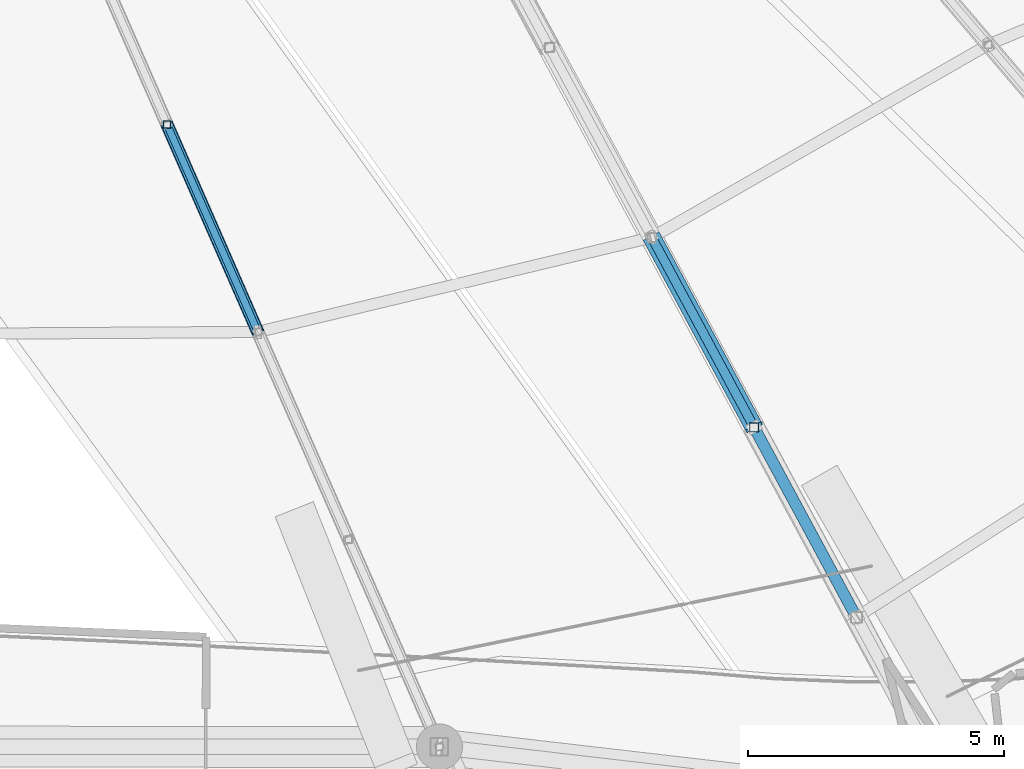
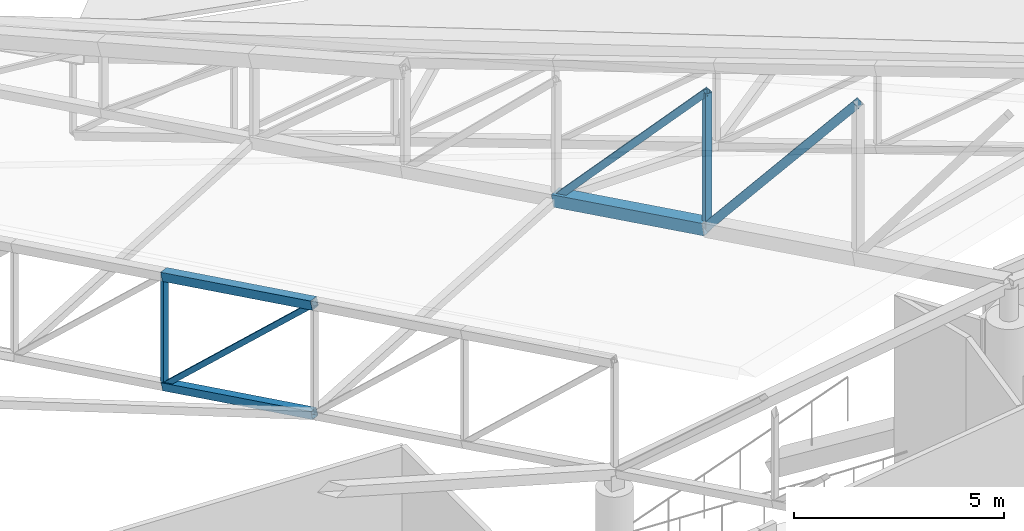
# One storey, part 72 of 344: 8 members.
"""IFC4 building model written with IfcOpenShell, lengths in metres."""

import ifcopenshell
import ifcopenshell.guid

model = None  # the IFC model being written
_history = None  # IfcOwnerHistory: only IFC2X3 demands one
_inside = {}  # id of a spatial element -> (the spatial element, [elements in it])
_under = {}  # id of a project, library or spatial element -> (it, [spatial elements below it])
_declared = {}  # id of a project -> (the project, [libraries it declares])
_typed = {}  # id of a type object -> (the type object, [elements of that type])
_made_of = {}  # id of a material, layer set ... -> (it, [elements and type objects made of it])


def new_model(schema):
    """Start an empty IFC model of exactly this schema.

    Asked for "IFC4X3", IfcOpenShell would pick the latest addendum, in which some entities
    have other attributes; the version numbers below select the first issue.
    IFC2X3 requires an IfcOwnerHistory on every rooted entity: one is made here for all.
    """
    global model, _history
    if schema == "IFC4X3":
        model = ifcopenshell.file(schema_version=(4, 3, 0, 0))
    else:
        model = ifcopenshell.file(schema=schema)
    _inside.clear()
    _under.clear()
    _declared.clear()
    _typed.clear()
    _made_of.clear()
    _history = None
    if model.schema == "IFC2X3":
        org = make("IfcOrganization", Name="unknown")
        user = make(
            "IfcPersonAndOrganization",
            ThePerson=make("IfcPerson", FamilyName="unknown"),
            TheOrganization=org,
        )
        app = make(
            "IfcApplication",
            ApplicationDeveloper=org,
            Version="unknown",
            ApplicationFullName="unknown",
            ApplicationIdentifier="unknown",
        )
        _history = make(
            "IfcOwnerHistory",
            OwningUser=user,
            OwningApplication=app,
            ChangeAction="ADDED",
            CreationDate=0,
        )
    return model


def make(cls, **values):
    """One entity of the class cls with the attributes given. An attribute that is None is left unset."""
    return model.create_entity(
        cls, **{name: value for name, value in values.items() if value is not None}
    )


def rooted(cls, **values):
    """An entity with a GlobalId (a new one), such as an element, a storey or a relation."""
    return make(cls, GlobalId=ifcopenshell.guid.new(), OwnerHistory=_history, **values)


def si_unit(unit_type, name, prefix=None):
    """IfcSIUnit, for example si_unit("LENGTHUNIT", "METRE", prefix="MILLI")."""
    return make("IfcSIUnit", UnitType=unit_type, Prefix=prefix, Name=name)


def assignment(units):
    """IfcUnitAssignment: the units of a project."""
    return None if units is None else make("IfcUnitAssignment", Units=units)


def point(xyz):
    """IfcCartesianPoint."""
    return None if xyz is None else make("IfcCartesianPoint", Coordinates=xyz)


def direction(xyz):
    """IfcDirection."""
    return None if xyz is None else make("IfcDirection", DirectionRatios=xyz)


def frame(location, z_axis=None, x_axis=None):
    """IfcAxis2Placement3D, a coordinate frame: its origin and axes. An axis left out is left unset."""
    return make(
        "IfcAxis2Placement3D",
        Location=point(location),
        Axis=direction(z_axis),
        RefDirection=direction(x_axis),
    )


def frame_2d(location, x_axis=None):
    """IfcAxis2Placement2D, a coordinate frame in the plane: its origin and x axis."""
    return make(
        "IfcAxis2Placement2D", Location=point(location), RefDirection=direction(x_axis)
    )


def origin():
    """The frame at (0, 0, 0) with its axes left unset."""
    return frame((0.0, 0.0, 0.0))


def origin_2d():
    """The frame at (0, 0) in the plane with its x axis left unset."""
    return frame_2d((0.0, 0.0))


def place(relative_to, where):
    """IfcLocalPlacement: puts the frame where relative to a parent placement (None: the world)."""
    return make(
        "IfcLocalPlacement", PlacementRelTo=relative_to, RelativePlacement=where
    )


def context(
    kind, dimensions, precision=None, world=None, true_north=None, identifier=None
):
    """IfcGeometricRepresentationContext, for example the 3D "Model" context."""
    return make(
        "IfcGeometricRepresentationContext",
        ContextIdentifier=identifier,
        ContextType=kind,
        CoordinateSpaceDimension=dimensions,
        Precision=precision,
        WorldCoordinateSystem=world,
        TrueNorth=true_north,
    )


def subcontext(parent, identifier, kind, view, scale=None):
    """IfcGeometricRepresentationSubContext, for example "Body" below "Model"."""
    return make(
        "IfcGeometricRepresentationSubContext",
        ContextIdentifier=identifier,
        ContextType=kind,
        ParentContext=parent,
        TargetScale=scale,
        TargetView=view,
    )


def project(units=None, contexts=None):
    """IfcProject with its units and contexts."""
    return rooted(
        "IfcProject",
        Name="project",
        RepresentationContexts=contexts,
        UnitsInContext=assignment(units),
    )


def spatial(cls, under=None, at=None, **own):
    """A site, building, storey or space (cls), placed at a placement, below another one or the project."""
    s = rooted(cls, ObjectPlacement=at, **own)
    if under is not None:
        _under.setdefault(under.id(), (under, []))[1].append(s)
    return s


def profile(cls, at=None, kind="AREA", **sizes):
    """A parametric profile (cls). Its sizes go by their IFC names, for example OverallWidth=200.0."""
    return make(cls, ProfileType=kind, Position=at, **sizes)


def hollow_rectangle(**sizes):
    """IfcRectangleHollowProfileDef."""
    return profile("IfcRectangleHollowProfileDef", **sizes)


def extrude(swept, where, along, depth):
    """IfcExtrudedAreaSolid: the profile swept, set in the frame where, extruded along a direction by depth."""
    return make(
        "IfcExtrudedAreaSolid",
        SweptArea=swept,
        Position=where,
        ExtrudedDirection=direction(along),
        Depth=depth,
    )


def shape(context_of_items, identifier, shape_type, items):
    """IfcShapeRepresentation: the items that make up one representation, for example the "Body"."""
    return make(
        "IfcShapeRepresentation",
        ContextOfItems=context_of_items,
        RepresentationIdentifier=identifier,
        RepresentationType=shape_type,
        Items=items,
    )


def material(Name=None, Category=None):
    """IfcMaterial."""
    return make("IfcMaterial", Name=Name, Category=Category)


def material_profile(
    of_material, cross_section, Name=None, Category=None, Priority=None
):
    """IfcMaterialProfile: a cross section and its material."""
    return make(
        "IfcMaterialProfile",
        Name=Name,
        Material=of_material,
        Profile=cross_section,
        Priority=Priority,
        Category=Category,
    )


def profile_set(profiles, Name=None, composite=None):
    """IfcMaterialProfileSet."""
    return make(
        "IfcMaterialProfileSet",
        Name=Name,
        MaterialProfiles=profiles,
        CompositeProfile=composite,
    )


def made_of(thing, what):
    """Note that an element or type object is made of a material, layer set ...; save() writes the relation."""
    if what is not None:
        _made_of.setdefault(what.id(), (what, []))[1].append(thing)
    return thing


def type_object(cls, material=None, **own):
    """A type object (cls), such as IfcWallType, which elements share."""
    return made_of(rooted(cls, **own), material)


def element(
    cls,
    number,
    at=None,
    inside=None,
    cuts=None,
    type_object=None,
    material=None,
    context=None,
    identifier="Body",
    shape_type=None,
    held_by="IfcProductDefinitionShape",
    body=None,
    shapes=None,
    **own,
):
    """One element of the class cls, such as IfcWall. Its Tag is "e" and its number.

    at: its placement. inside: the storey or other place that contains it. cuts: it is an
    opening in that element (IfcRelVoidsElement). A single representation is given by context,
    identifier, shape_type and body (its items); several are given by shapes. held_by: the class
    of the entity that holds the representations. save() writes the other relations.
    """
    e = rooted(cls, Tag="e%d" % number, ObjectPlacement=at, **own)
    if body is not None:
        shapes = [shape(context, identifier, shape_type, body)]
    if shapes is not None:
        e.Representation = make(held_by, Representations=shapes)
    if inside is not None:
        _inside.setdefault(inside.id(), (inside, []))[1].append(e)
    if cuts is not None:
        rooted(
            "IfcRelVoidsElement", RelatingBuildingElement=cuts, RelatedOpeningElement=e
        )
    if type_object is not None:
        _typed.setdefault(type_object.id(), (type_object, []))[1].append(e)
    return made_of(e, material)


def aggregate(whole, parts):
    """IfcRelAggregates: a whole, such as a stair, and the parts it consists of."""
    return rooted("IfcRelAggregates", RelatingObject=whole, RelatedObjects=parts)


def save(model, path):
    """Write the relations noted so far, then the file.

    IfcRelAggregates (storeys below a building ...), IfcRelContainedInSpatialStructure (elements
    in a storey), IfcRelDefinesByType, IfcRelAssociatesMaterial and IfcRelDeclares: one each for
    every whole, place, type object, material and project.
    """
    for whole, parts in _under.values():
        aggregate(whole, parts)
    for where, things in _inside.values():
        rooted(
            "IfcRelContainedInSpatialStructure",
            RelatedElements=things,
            RelatingStructure=where,
        )
    for kind, things in _typed.values():
        rooted("IfcRelDefinesByType", RelatedObjects=things, RelatingType=kind)
    for what, things in _made_of.values():
        rooted("IfcRelAssociatesMaterial", RelatedObjects=things, RelatingMaterial=what)
    for by, libraries in _declared.values():
        rooted("IfcRelDeclares", RelatingContext=by, RelatedDefinitions=libraries)
    model.write(path)


model = new_model("IFC4")

# Units and contexts
model_context = context("Model", 3, precision=1e-05, world=origin(), true_north=direction((0.0, 1.0)))
body_context = subcontext(model_context, "Body", "Model", "MODEL_VIEW")
ifc_project = project(units=[si_unit("LENGTHUNIT", "METRE"), si_unit("AREAUNIT", "SQUARE_METRE"), si_unit("VOLUMEUNIT", "CUBIC_METRE"), si_unit("PLANEANGLEUNIT", "RADIAN"), si_unit("MASSUNIT", "GRAM", prefix="KILO")], contexts=[model_context])

# Site, building, storey
site_placement = place(None, origin())
site = spatial("IfcSite", under=ifc_project, at=site_placement, CompositionType="ELEMENT")
building_placement = place(site_placement, origin())
building = spatial("IfcBuilding", under=site, at=building_placement, Name="Meseta Stadium", CompositionType="ELEMENT")
storey_placement = place(building_placement, frame((0.0, 0.0, 24.0)))
storey = spatial("IfcBuildingStorey", under=building, at=storey_placement, Name="L04", CompositionType="ELEMENT", Elevation=24.0)

# Members
ifc_material_1 = material(Name="Steel S355", Category="steel")
ifc_material_profile_1 = material_profile(ifc_material_1, hollow_rectangle(XDim=0.139892578125, YDim=0.139892578125, WallThickness=0.0048828125, at=origin_2d()), Name="SHS 140x140x5")
ifc_profile_set_1 = profile_set([ifc_material_profile_1], Name="Steel S355")
member_type_1 = type_object("IfcMemberType", Name="SHS 140x140x5 diagonal", PredefinedType="BRACE", material=ifc_profile_set_1)
member_1_placement = place(storey_placement, frame((29.205322265625, -77.744384765625, 1.341552734375), z_axis=(0.29092603047, -0.664716565012, 0.688123486732), x_axis=(0.916100374083, 0.400949004993, 0.0)))
element("IfcMember", 1, at=member_1_placement, inside=storey, type_object=member_type_1, Name="ROOF TRUSS RT-49 diagonal", PredefinedType="BRACE", context=body_context, shape_type="SweptSolid", body=[
    extrude(hollow_rectangle(XDim=0.139892578125, YDim=0.139892578125, WallThickness=0.0048828125, at=origin_2d()), origin(), (0.0, 0.0, 1.0), 6.101806640625),
])
ifc_material_2 = material(Name="Steel S355", Category="steel")
ifc_material_profile_2 = material_profile(ifc_material_2, hollow_rectangle(XDim=0.139892578125, YDim=0.139892578125, WallThickness=0.0048828125, at=origin_2d()), Name="SHS 140x140x5")
ifc_profile_set_2 = profile_set([ifc_material_profile_2], Name="Steel S355")
member_type_2 = type_object("IfcMemberType", Name="SHS 140x140x5 post", PredefinedType="POST", material=ifc_profile_set_2)
member_2_placement = place(storey_placement, frame((29.205322265625, -77.744384765625, 1.341552734375), z_axis=(0.0, 0.0, 1.0), x_axis=(1.0, 0.0, 0.0)))
element("IfcMember", 2, at=member_2_placement, inside=storey, type_object=member_type_2, Name="ROOF TRUSS RT-49 post", PredefinedType="POST", context=body_context, shape_type="SweptSolid", body=[
    extrude(hollow_rectangle(XDim=0.139892578125, YDim=0.139892578125, WallThickness=0.0048828125, at=origin_2d()), origin(), (0.0, 0.0, 1.0), 3.199951171875),
])
ifc_material_3 = material(Name="Steel S355", Category="steel")
ifc_material_profile_3 = material_profile(ifc_material_3, hollow_rectangle(XDim=0.179931640625, YDim=0.179931640625, WallThickness=0.00634765625, at=origin_2d()), Name="SHS 180x180x6.3")
ifc_profile_set_3 = profile_set([ifc_material_profile_3], Name="Steel S355")
member_type_3 = type_object("IfcMemberType", Name="SHS 180x180x6.3 diagonal", PredefinedType="BRACE", material=ifc_profile_set_3)
member_3_placement = place(storey_placement, frame((38.682373046875, -79.9521484375, 4.798828125), z_axis=(0.319424878403, -0.592994818207, 0.739137938843), x_axis=(0.880396734491, 0.474237904324, 0.0)))
element("IfcMember", 3, at=member_3_placement, inside=storey, type_object=member_type_3, Name="ROOF TRUSS RT-50 diagonal", PredefinedType="BRACE", context=body_context, shape_type="SweptSolid", body=[
    extrude(hollow_rectangle(XDim=0.179931640625, YDim=0.179931640625, WallThickness=0.00634765625, at=origin_2d()), origin(), (0.0, 0.0, 1.0), 6.26123046875),
])
ifc_material_4 = material(Name="Steel S355", Category="steel")
ifc_material_profile_4 = material_profile(ifc_material_4, hollow_rectangle(XDim=0.179931640625, YDim=0.179931640625, WallThickness=0.00634765625, at=origin_2d()), Name="SHS 180x180x6.3")
ifc_profile_set_4 = profile_set([ifc_material_profile_4], Name="Steel S355")
member_type_4 = type_object("IfcMemberType", Name="SHS 180x180x6.3 post", PredefinedType="POST", material=ifc_profile_set_4)
member_4_placement = place(storey_placement, frame((40.682373046875, -83.6650390625, 5.512451171875), z_axis=(0.0, 0.0, 1.0), x_axis=(1.0, 0.0, 0.0)))
element("IfcMember", 4, at=member_4_placement, inside=storey, type_object=member_type_4, Name="ROOF TRUSS RT-50 post", PredefinedType="POST", context=body_context, shape_type="SweptSolid", body=[
    extrude(hollow_rectangle(XDim=0.179931640625, YDim=0.179931640625, WallThickness=0.00634765625, at=origin_2d()), origin(), (0.0, 0.0, 1.0), 3.914306640625),
])
ifc_material_5 = material(Name="Steel S355", Category="steel")
ifc_material_profile_5 = material_profile(ifc_material_5, hollow_rectangle(XDim=0.219970703125, YDim=0.219970703125, WallThickness=0.008056640625, at=origin_2d()), Name="SHS 220x220x8")
ifc_profile_set_5 = profile_set([ifc_material_profile_5], Name="Steel S355")
member_type_5 = type_object("IfcMemberType", Name="SHS 220x220x8 bottom chord", PredefinedType="CHORD", material=ifc_profile_set_5)
member_5_placement = place(storey_placement, frame((29.205322265625, -77.744384765625, 1.341552734375), z_axis=(0.391120077987, -0.893642945345, 0.220062197641), x_axis=(0.916100374083, 0.400949004993, 0.0)))
element("IfcMember", 5, at=member_5_placement, inside=storey, type_object=member_type_5, Name="ROOF TRUSS RT-49 bottom chord", PredefinedType="CHORD", context=body_context, shape_type="SweptSolid", body=[
    extrude(hollow_rectangle(XDim=0.219970703125, YDim=0.219970703125, WallThickness=0.008056640625, at=origin_2d()), origin(), (0.0, 0.0, 1.0), 4.53857421875),
])
ifc_material_6 = material(Name="Steel S355", Category="steel")
ifc_material_profile_6 = material_profile(ifc_material_6, hollow_rectangle(XDim=0.219970703125, YDim=0.219970703125, WallThickness=0.008056640625, at=origin_2d()), Name="SHS 220x220x8")
ifc_profile_set_6 = profile_set([ifc_material_profile_6], Name="Steel S355")
member_type_6 = type_object("IfcMemberType", Name="SHS 220x220x8 diagonal", PredefinedType="BRACE", material=ifc_profile_set_6)
member_6_placement = place(storey_placement, frame((40.682373046875, -83.6650390625, 5.512451171875), z_axis=(0.30113080949, -0.559032879728, 0.772529918488), x_axis=(0.880396734491, 0.474237904324, 0.0)))
element("IfcMember", 6, at=member_6_placement, inside=storey, type_object=member_type_6, Name="ROOF TRUSS RT-50 diagonal", PredefinedType="BRACE", context=body_context, shape_type="SweptSolid", body=[
    extrude(hollow_rectangle(XDim=0.219970703125, YDim=0.219970703125, WallThickness=0.008056640625, at=origin_2d()), origin(), (0.0, 0.0, 1.0), 6.6416015625),
])
ifc_material_7 = material(Name="Steel S355", Category="steel")
ifc_material_profile_7 = material_profile(ifc_material_7, hollow_rectangle(XDim=0.25, YDim=0.25, WallThickness=0.010009765625, at=origin_2d()), Name="SHS 250x250x10")
ifc_profile_set_7 = profile_set([ifc_material_profile_7], Name="Steel S355")
member_type_7 = type_object("IfcMemberType", Name="SHS 250x250x10 top chord", PredefinedType="CHORD", material=ifc_profile_set_7)
member_7_placement = place(storey_placement, frame((29.205322265625, -77.744384765625, 4.54150390625), z_axis=(0.391120077987, -0.893642945345, 0.220062197641), x_axis=(0.916100374083, 0.400949004993, 0.0)))
element("IfcMember", 7, at=member_7_placement, inside=storey, type_object=member_type_7, Name="ROOF TRUSS RT-49 top chord", PredefinedType="CHORD", context=body_context, shape_type="SweptSolid", body=[
    extrude(hollow_rectangle(XDim=0.25, YDim=0.25, WallThickness=0.010009765625, at=origin_2d()), origin(), (0.0, 0.0, 1.0), 4.53857421875),
])
ifc_material_8 = material(Name="Steel S355", Category="steel")
ifc_material_profile_8 = material_profile(ifc_material_8, hollow_rectangle(XDim=0.35009765625, YDim=0.35009765625, WallThickness=0.010009765625, at=origin_2d()), Name="SHS 350x350x10")
ifc_profile_set_8 = profile_set([ifc_material_profile_8], Name="Steel S355")
member_type_8 = type_object("IfcMemberType", Name="SHS 350x350x10 bottom chord", PredefinedType="CHORD", material=ifc_profile_set_8)
member_8_placement = place(storey_placement, frame((38.682373046875, -79.9521484375, 4.798828125), z_axis=(0.46759083346, -0.868056810945, 0.166841797632), x_axis=(0.880396734491, 0.474237904324, 0.0)))
element("IfcMember", 8, at=member_8_placement, inside=storey, type_object=member_type_8, Name="ROOF TRUSS RT-50 bottom chord", PredefinedType="CHORD", context=body_context, shape_type="SweptSolid", body=[
    extrude(hollow_rectangle(XDim=0.35009765625, YDim=0.35009765625, WallThickness=0.010009765625, at=origin_2d()), origin(), (0.0, 0.0, 1.0), 4.27734375),
])

save(model, "model.ifc")
